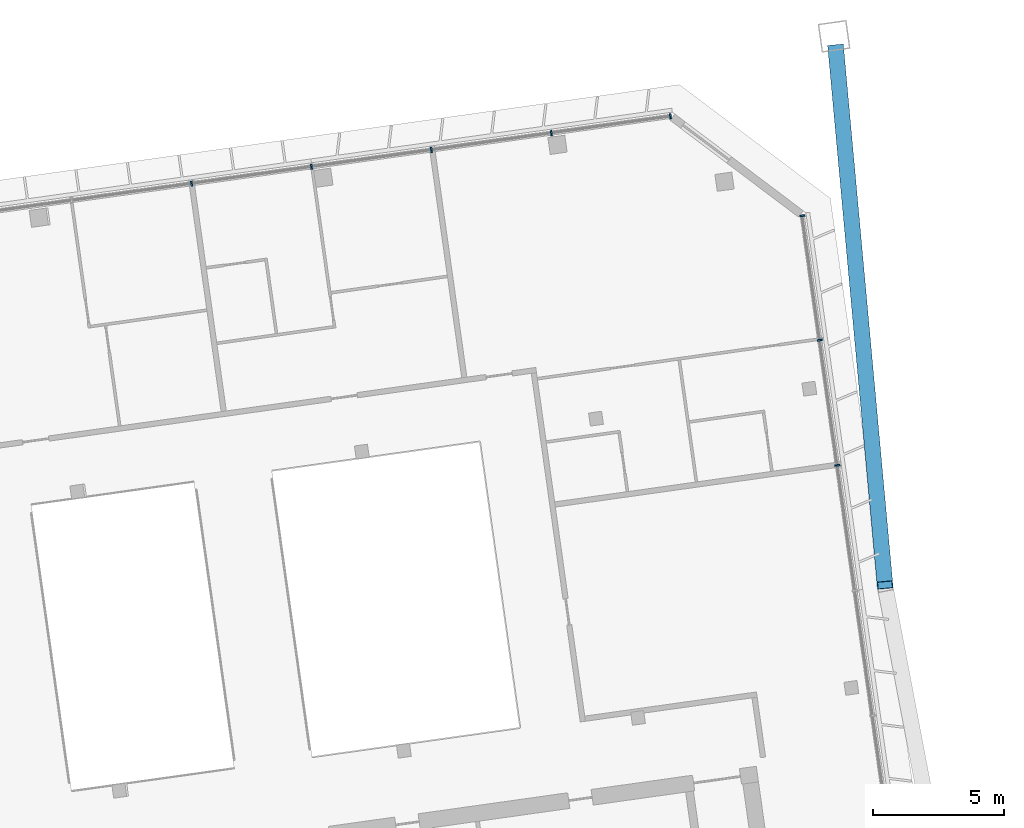
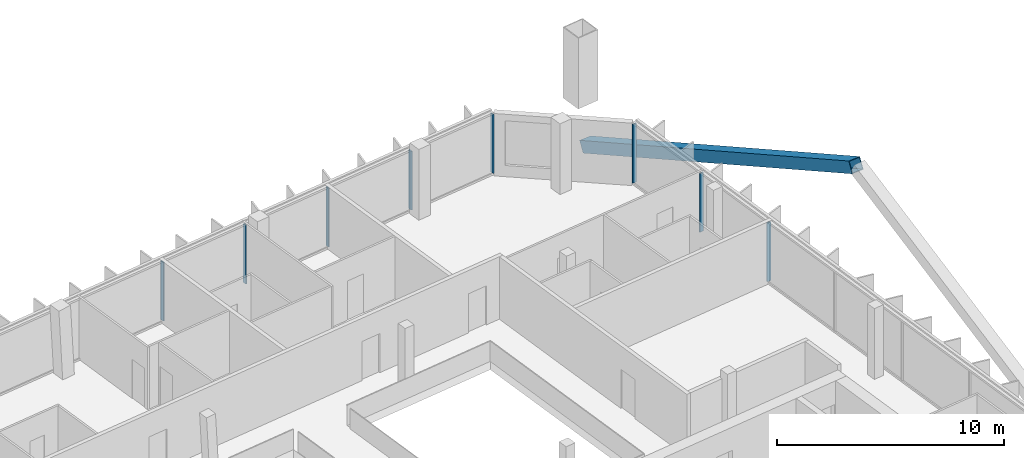
# One storey, part 11 of 23: 9 members, 2 elements without a shape of their own.
"""IFC4 building model written with IfcOpenShell, lengths in metres."""

from ifc_helpers import new_model, si_unit, direction, frame, origin, origin_2d, place, context, subcontext, project, spatial, rectangle, hollow_rectangle, extrude, material, material_profile, profile_set, type_object, element, aggregate, save


model = new_model("IFC4")

# Units and contexts
model_context = context("Model", 3, precision=1e-05, world=origin(), true_north=direction((0.0, 1.0)))
body_context = subcontext(model_context, "Body", "Model", "MODEL_VIEW")
ifc_project = project(units=[si_unit("LENGTHUNIT", "METRE"), si_unit("AREAUNIT", "SQUARE_METRE"), si_unit("VOLUMEUNIT", "CUBIC_METRE"), si_unit("PLANEANGLEUNIT", "RADIAN"), si_unit("MASSUNIT", "GRAM", prefix="KILO")], contexts=[model_context])

# Site, building, storey
site_placement = place(None, origin())
site = spatial("IfcSite", under=ifc_project, at=site_placement, CompositionType="ELEMENT")
building_placement = place(site_placement, origin())
building = spatial("IfcBuilding", under=site, at=building_placement, Name="Mirante Cascada Hotel Towers", CompositionType="ELEMENT")
storey_placement = place(building_placement, frame((0.0, 0.0, 220.4)))
storey = spatial("IfcBuildingStorey", under=building, at=storey_placement, Name="L52", CompositionType="ELEMENT", Elevation=220.4)

# Member
ifc_material_1 = material(Name="Steel ASTM A572 Gr 50", Category="steel")
ifc_material_profile_1 = material_profile(ifc_material_1, hollow_rectangle(XDim=0.6, YDim=0.6, WallThickness=0.028, at=origin_2d()), Name="Box brace 600x600x28 ASTM A572 Gr 50")
ifc_profile_set_1 = profile_set([ifc_material_profile_1], Name="Steel ASTM A572 Gr 50")
member_type_1 = type_object("IfcMemberType", Name="Box brace 600x600x28 ASTM A572 Gr 50", PredefinedType="BRACE", material=ifc_profile_set_1)
member_1_placement = place(storey_placement, frame((73.6843, 24.8793, -2.1856), z_axis=(0.0811208, -0.8843321, 0.4597566), x_axis=(0.9958191, 0.0913476, 0.0)))
element("IfcMember", 1, at=member_1_placement, inside=storey, type_object=member_type_1, Name="brace T2 L52 2", PredefinedType="BRACE", context=body_context, shape_type="SweptSolid", body=[
    extrude(hollow_rectangle(XDim=0.6, YDim=0.6, WallThickness=0.028, at=origin_2d()), origin(), (0.0, 0.0, 1.0), 23.0977),
])

# Curtain wall, members
ifc_material_2 = material(Name="Aluminium mullion and transom frame with clear laminated glass", Category="aluminium")
curtain_wall_type_1 = type_object("IfcCurtainWallType", Name="Ribbon curtain wall ECW1", PredefinedType="NOTDEFINED", material=ifc_material_2)
curtain_wall_1_placement = place(storey_placement, origin())
curtain_wall_1 = element("IfcCurtainWall", 2, at=curtain_wall_1_placement, inside=storey, type_object=curtain_wall_type_1, Name="Front ribbon wall T2 L52", PredefinedType="NOTDEFINED")
ifc_material_3 = material(Name="Anodised aluminium extrusion", Category="aluminium")
ifc_material_profile_2 = material_profile(ifc_material_3, rectangle(XDim=0.2, YDim=0.065, at=origin_2d()), Name="ECW1 MULLION 65x200")
ifc_profile_set_2 = profile_set([ifc_material_profile_2], Name="Anodised aluminium extrusion")
member_type_2 = type_object("IfcMemberType", Name="ECW1 mullion 65x200", PredefinedType="MULLION", material=ifc_profile_set_2)
member_2_placement = place(storey_placement, frame((67.3887, 22.2899, 0.1), z_axis=(0.0, 0.0, 1.0), x_axis=(0.1391731, -0.9902681, 0.0)))
member_2 = element("IfcMember", 3, at=member_2_placement, type_object=member_type_2, Name="ECW1 mullion 1", PredefinedType="MULLION", context=body_context, shape_type="SweptSolid", body=[
    extrude(rectangle(XDim=0.2, YDim=0.065, at=origin_2d()), origin(), (0.0, 0.0, 1.0), 3.15),
])
member_3_placement = place(storey_placement, frame((62.8566, 21.6529, 0.1), z_axis=(0.0, 0.0, 1.0), x_axis=(0.1391731, -0.9902681, 0.0)))
member_3 = element("IfcMember", 4, at=member_3_placement, type_object=member_type_2, Name="ECW1 mullion 2", PredefinedType="MULLION", context=body_context, shape_type="SweptSolid", body=[
    extrude(rectangle(XDim=0.2, YDim=0.065, at=origin_2d()), origin(), (0.0, 0.0, 1.0), 3.15),
])
member_4_placement = place(storey_placement, frame((58.2923, 21.0115, 0.1), z_axis=(0.0, 0.0, 1.0), x_axis=(0.1391731, -0.9902681, 0.0)))
member_4 = element("IfcMember", 5, at=member_4_placement, type_object=member_type_2, Name="ECW1 mullion 3", PredefinedType="MULLION", context=body_context, shape_type="SweptSolid", body=[
    extrude(rectangle(XDim=0.2, YDim=0.065, at=origin_2d()), origin(), (0.0, 0.0, 1.0), 3.15),
])
member_5_placement = place(storey_placement, frame((53.7281, 20.37, 0.1), z_axis=(0.0, 0.0, 1.0), x_axis=(0.1391731, -0.9902681, 0.0)))
member_5 = element("IfcMember", 6, at=member_5_placement, type_object=member_type_2, Name="ECW1 mullion 4", PredefinedType="MULLION", context=body_context, shape_type="SweptSolid", body=[
    extrude(rectangle(XDim=0.2, YDim=0.065, at=origin_2d()), origin(), (0.0, 0.0, 1.0), 3.15),
])
member_6_placement = place(storey_placement, frame((49.1638, 19.7285, 0.1), z_axis=(0.0, 0.0, 1.0), x_axis=(0.1391731, -0.9902681, 0.0)))
member_6 = element("IfcMember", 7, at=member_6_placement, type_object=member_type_2, Name="ECW1 mullion 5", PredefinedType="MULLION", context=body_context, shape_type="SweptSolid", body=[
    extrude(rectangle(XDim=0.2, YDim=0.065, at=origin_2d()), origin(), (0.0, 0.0, 1.0), 3.15),
])
aggregate(curtain_wall_1, [member_2, member_3, member_4, member_5, member_6])

ifc_material_4 = material(Name="Aluminium mullion and transom frame with clear laminated glass", Category="aluminium")
curtain_wall_type_2 = type_object("IfcCurtainWallType", Name="End ribbon curtain wall ECW2", PredefinedType="NOTDEFINED", material=ifc_material_4)
curtain_wall_2_placement = place(storey_placement, origin())
curtain_wall_2 = element("IfcCurtainWall", 8, at=curtain_wall_2_placement, inside=storey, type_object=curtain_wall_type_2, Name="Outer end wall T2 L52", PredefinedType="NOTDEFINED")
ifc_material_5 = material(Name="Anodised aluminium extrusion", Category="aluminium")
ifc_material_profile_3 = material_profile(ifc_material_5, rectangle(XDim=0.2, YDim=0.065, at=origin_2d()), Name="ECW2 MULLION 65x200")
ifc_profile_set_3 = profile_set([ifc_material_profile_3], Name="Anodised aluminium extrusion")
member_type_3 = type_object("IfcMemberType", Name="ECW2 mullion 65x200", PredefinedType="MULLION", material=ifc_profile_set_3)
member_7_placement = place(storey_placement, frame((73.7437, 9.0077, 0.1), z_axis=(0.0, 0.0, 1.0), x_axis=(-0.9902681, -0.1391731, 0.0)))
member_7 = element("IfcMember", 9, at=member_7_placement, type_object=member_type_3, Name="ECW2 mullion 5", PredefinedType="MULLION", context=body_context, shape_type="SweptSolid", body=[
    extrude(rectangle(XDim=0.2, YDim=0.065, at=origin_2d()), origin(), (0.0, 0.0, 1.0), 3.15),
])
member_8_placement = place(storey_placement, frame((73.0739, 13.7735, 0.1), z_axis=(0.0, 0.0, 1.0), x_axis=(-0.9902681, -0.1391731, 0.0)))
member_8 = element("IfcMember", 10, at=member_8_placement, type_object=member_type_3, Name="ECW2 mullion 6", PredefinedType="MULLION", context=body_context, shape_type="SweptSolid", body=[
    extrude(rectangle(XDim=0.2, YDim=0.065, at=origin_2d()), origin(), (0.0, 0.0, 1.0), 3.15),
])
member_9_placement = place(storey_placement, frame((72.4087, 18.5071, 0.1), z_axis=(0.0, 0.0, 1.0), x_axis=(-0.9902681, -0.1391731, 0.0)))
member_9 = element("IfcMember", 11, at=member_9_placement, type_object=member_type_3, Name="ECW2 mullion 7", PredefinedType="MULLION", context=body_context, shape_type="SweptSolid", body=[
    extrude(rectangle(XDim=0.2, YDim=0.065, at=origin_2d()), origin(), (0.0, 0.0, 1.0), 3.15),
])
aggregate(curtain_wall_2, [member_7, member_8, member_9])

save(model, "model.ifc")
